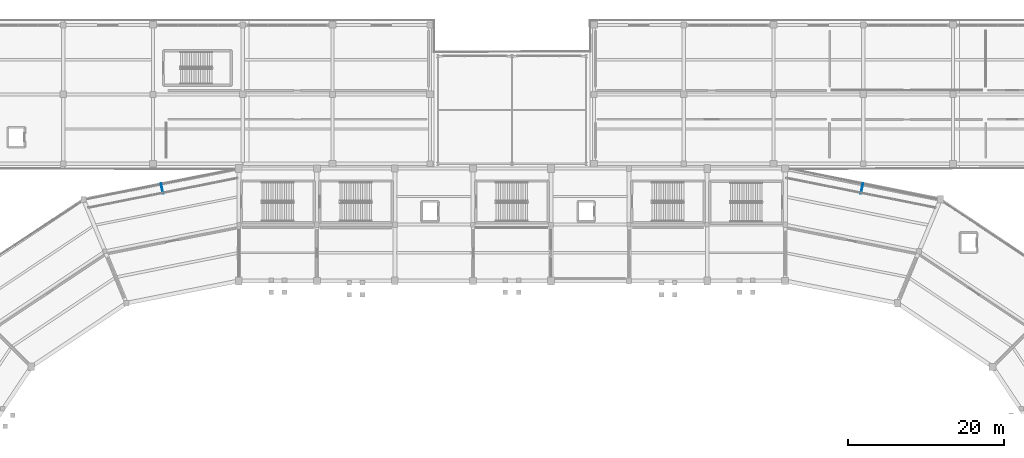
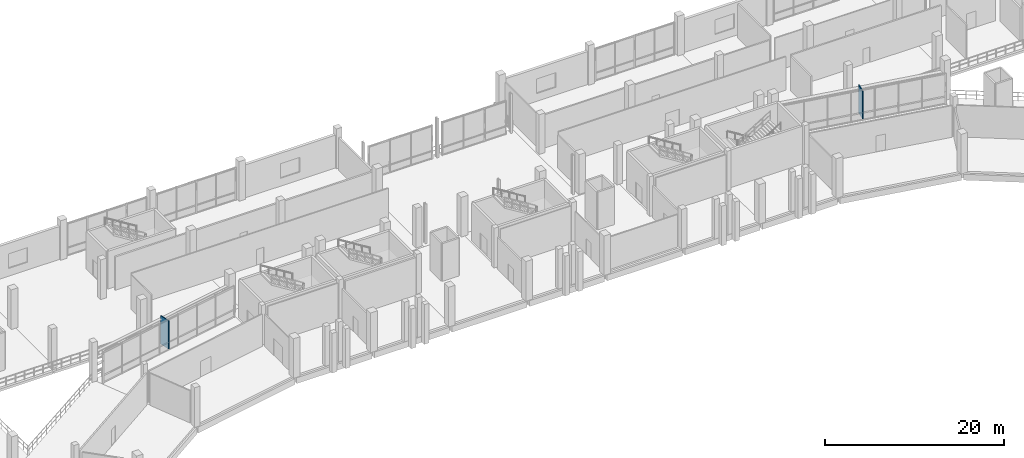
# One storey, part 90 of 114: 2 discrete accessories.
"""IFC4 building model written with IfcOpenShell, lengths in metres."""

import ifcopenshell
import ifcopenshell.guid

model = None  # the IFC model being written
_history = None  # IfcOwnerHistory: only IFC2X3 demands one
_inside = {}  # id of a spatial element -> (the spatial element, [elements in it])
_under = {}  # id of a project, library or spatial element -> (it, [spatial elements below it])
_declared = {}  # id of a project -> (the project, [libraries it declares])
_typed = {}  # id of a type object -> (the type object, [elements of that type])
_made_of = {}  # id of a material, layer set ... -> (it, [elements and type objects made of it])


def new_model(schema):
    """Start an empty IFC model of exactly this schema.

    Asked for "IFC4X3", IfcOpenShell would pick the latest addendum, in which some entities
    have other attributes; the version numbers below select the first issue.
    IFC2X3 requires an IfcOwnerHistory on every rooted entity: one is made here for all.
    """
    global model, _history
    if schema == "IFC4X3":
        model = ifcopenshell.file(schema_version=(4, 3, 0, 0))
    else:
        model = ifcopenshell.file(schema=schema)
    _inside.clear()
    _under.clear()
    _declared.clear()
    _typed.clear()
    _made_of.clear()
    _history = None
    if model.schema == "IFC2X3":
        org = make("IfcOrganization", Name="unknown")
        user = make(
            "IfcPersonAndOrganization",
            ThePerson=make("IfcPerson", FamilyName="unknown"),
            TheOrganization=org,
        )
        app = make(
            "IfcApplication",
            ApplicationDeveloper=org,
            Version="unknown",
            ApplicationFullName="unknown",
            ApplicationIdentifier="unknown",
        )
        _history = make(
            "IfcOwnerHistory",
            OwningUser=user,
            OwningApplication=app,
            ChangeAction="ADDED",
            CreationDate=0,
        )
    return model


def make(cls, **values):
    """One entity of the class cls with the attributes given. An attribute that is None is left unset."""
    return model.create_entity(
        cls, **{name: value for name, value in values.items() if value is not None}
    )


def rooted(cls, **values):
    """An entity with a GlobalId (a new one), such as an element, a storey or a relation."""
    return make(cls, GlobalId=ifcopenshell.guid.new(), OwnerHistory=_history, **values)


def si_unit(unit_type, name, prefix=None):
    """IfcSIUnit, for example si_unit("LENGTHUNIT", "METRE", prefix="MILLI")."""
    return make("IfcSIUnit", UnitType=unit_type, Prefix=prefix, Name=name)


def assignment(units):
    """IfcUnitAssignment: the units of a project."""
    return None if units is None else make("IfcUnitAssignment", Units=units)


def point(xyz):
    """IfcCartesianPoint."""
    return None if xyz is None else make("IfcCartesianPoint", Coordinates=xyz)


def direction(xyz):
    """IfcDirection."""
    return None if xyz is None else make("IfcDirection", DirectionRatios=xyz)


def frame(location, z_axis=None, x_axis=None):
    """IfcAxis2Placement3D, a coordinate frame: its origin and axes. An axis left out is left unset."""
    return make(
        "IfcAxis2Placement3D",
        Location=point(location),
        Axis=direction(z_axis),
        RefDirection=direction(x_axis),
    )


def frame_2d(location, x_axis=None):
    """IfcAxis2Placement2D, a coordinate frame in the plane: its origin and x axis."""
    return make(
        "IfcAxis2Placement2D", Location=point(location), RefDirection=direction(x_axis)
    )


def origin():
    """The frame at (0, 0, 0) with its axes left unset."""
    return frame((0.0, 0.0, 0.0))


def origin_2d():
    """The frame at (0, 0) in the plane with its x axis left unset."""
    return frame_2d((0.0, 0.0))


def place(relative_to, where):
    """IfcLocalPlacement: puts the frame where relative to a parent placement (None: the world)."""
    return make(
        "IfcLocalPlacement", PlacementRelTo=relative_to, RelativePlacement=where
    )


def context(
    kind, dimensions, precision=None, world=None, true_north=None, identifier=None
):
    """IfcGeometricRepresentationContext, for example the 3D "Model" context."""
    return make(
        "IfcGeometricRepresentationContext",
        ContextIdentifier=identifier,
        ContextType=kind,
        CoordinateSpaceDimension=dimensions,
        Precision=precision,
        WorldCoordinateSystem=world,
        TrueNorth=true_north,
    )


def subcontext(parent, identifier, kind, view, scale=None):
    """IfcGeometricRepresentationSubContext, for example "Body" below "Model"."""
    return make(
        "IfcGeometricRepresentationSubContext",
        ContextIdentifier=identifier,
        ContextType=kind,
        ParentContext=parent,
        TargetScale=scale,
        TargetView=view,
    )


def project(units=None, contexts=None):
    """IfcProject with its units and contexts."""
    return rooted(
        "IfcProject",
        Name="project",
        RepresentationContexts=contexts,
        UnitsInContext=assignment(units),
    )


def spatial(cls, under=None, at=None, **own):
    """A site, building, storey or space (cls), placed at a placement, below another one or the project."""
    s = rooted(cls, ObjectPlacement=at, **own)
    if under is not None:
        _under.setdefault(under.id(), (under, []))[1].append(s)
    return s


def profile(cls, at=None, kind="AREA", **sizes):
    """A parametric profile (cls). Its sizes go by their IFC names, for example OverallWidth=200.0."""
    return make(cls, ProfileType=kind, Position=at, **sizes)


def rectangle(**sizes):
    """IfcRectangleProfileDef."""
    return profile("IfcRectangleProfileDef", **sizes)


def extrude(swept, where, along, depth):
    """IfcExtrudedAreaSolid: the profile swept, set in the frame where, extruded along a direction by depth."""
    return make(
        "IfcExtrudedAreaSolid",
        SweptArea=swept,
        Position=where,
        ExtrudedDirection=direction(along),
        Depth=depth,
    )


def shape(context_of_items, identifier, shape_type, items):
    """IfcShapeRepresentation: the items that make up one representation, for example the "Body"."""
    return make(
        "IfcShapeRepresentation",
        ContextOfItems=context_of_items,
        RepresentationIdentifier=identifier,
        RepresentationType=shape_type,
        Items=items,
    )


def material(Name=None, Category=None):
    """IfcMaterial."""
    return make("IfcMaterial", Name=Name, Category=Category)


def made_of(thing, what):
    """Note that an element or type object is made of a material, layer set ...; save() writes the relation."""
    if what is not None:
        _made_of.setdefault(what.id(), (what, []))[1].append(thing)
    return thing


def type_object(cls, material=None, **own):
    """A type object (cls), such as IfcWallType, which elements share."""
    return made_of(rooted(cls, **own), material)


def element(
    cls,
    number,
    at=None,
    inside=None,
    cuts=None,
    type_object=None,
    material=None,
    context=None,
    identifier="Body",
    shape_type=None,
    held_by="IfcProductDefinitionShape",
    body=None,
    shapes=None,
    **own,
):
    """One element of the class cls, such as IfcWall. Its Tag is "e" and its number.

    at: its placement. inside: the storey or other place that contains it. cuts: it is an
    opening in that element (IfcRelVoidsElement). A single representation is given by context,
    identifier, shape_type and body (its items); several are given by shapes. held_by: the class
    of the entity that holds the representations. save() writes the other relations.
    """
    e = rooted(cls, Tag="e%d" % number, ObjectPlacement=at, **own)
    if body is not None:
        shapes = [shape(context, identifier, shape_type, body)]
    if shapes is not None:
        e.Representation = make(held_by, Representations=shapes)
    if inside is not None:
        _inside.setdefault(inside.id(), (inside, []))[1].append(e)
    if cuts is not None:
        rooted(
            "IfcRelVoidsElement", RelatingBuildingElement=cuts, RelatedOpeningElement=e
        )
    if type_object is not None:
        _typed.setdefault(type_object.id(), (type_object, []))[1].append(e)
    return made_of(e, material)


def aggregate(whole, parts):
    """IfcRelAggregates: a whole, such as a stair, and the parts it consists of."""
    return rooted("IfcRelAggregates", RelatingObject=whole, RelatedObjects=parts)


def save(model, path):
    """Write the relations noted so far, then the file.

    IfcRelAggregates (storeys below a building ...), IfcRelContainedInSpatialStructure (elements
    in a storey), IfcRelDefinesByType, IfcRelAssociatesMaterial and IfcRelDeclares: one each for
    every whole, place, type object, material and project.
    """
    for whole, parts in _under.values():
        aggregate(whole, parts)
    for where, things in _inside.values():
        rooted(
            "IfcRelContainedInSpatialStructure",
            RelatedElements=things,
            RelatingStructure=where,
        )
    for kind, things in _typed.values():
        rooted("IfcRelDefinesByType", RelatedObjects=things, RelatingType=kind)
    for what, things in _made_of.values():
        rooted("IfcRelAssociatesMaterial", RelatedObjects=things, RelatingMaterial=what)
    for by, libraries in _declared.values():
        rooted("IfcRelDeclares", RelatingContext=by, RelatedDefinitions=libraries)
    model.write(path)


model = new_model("IFC4")

# Units and contexts
model_context = context("Model", 3, precision=1e-05, world=origin(), true_north=direction((0.0, 1.0)))
body_context = subcontext(model_context, "Body", "Model", "MODEL_VIEW")
ifc_project = project(units=[si_unit("LENGTHUNIT", "METRE"), si_unit("AREAUNIT", "SQUARE_METRE"), si_unit("VOLUMEUNIT", "CUBIC_METRE"), si_unit("PLANEANGLEUNIT", "RADIAN"), si_unit("MASSUNIT", "GRAM", prefix="KILO")], contexts=[model_context])

# Site, building, storey
site_placement = place(None, origin())
site = spatial("IfcSite", under=ifc_project, at=site_placement, CompositionType="ELEMENT")
building_placement = place(site_placement, origin())
building = spatial("IfcBuilding", under=site, at=building_placement, Name="Candeia Ridge Stadium", CompositionType="ELEMENT")
storey_placement = place(building_placement, frame((0.0, 0.0, 5.39990234375)))
storey = spatial("IfcBuildingStorey", under=building, at=storey_placement, Name="L01", CompositionType="ELEMENT", Elevation=5.39990234375)

# Discrete accessories
ifc_material = material(Name="Steel ASTM A572 Grade 50", Category="steel")
discrete_accessory_type = type_object("IfcDiscreteAccessoryType", Name="Solar Rib Outrigger Bracket BRK1", PredefinedType="BRACKET", material=ifc_material)
discrete_accessory_1_placement = place(storey_placement, frame((61.1650390625, 144.443603515625, 0.2001953125), z_axis=(0.0, 0.0, 1.0), x_axis=(-0.19509022785, 0.980785299134, 0.0)))
element("IfcDiscreteAccessory", 1, at=discrete_accessory_1_placement, inside=storey, type_object=discrete_accessory_type, Name="Solar rib steel outrigger bracket L01 bay 08", PredefinedType="BRACKET", context=body_context, shape_type="SweptSolid", body=[
    extrude(rectangle(XDim=1.35009765625, YDim=0.1201171875, at=origin_2d()), origin(), (0.0, 0.0, 1.0), 3.844970703125),
])
discrete_accessory_2_placement = place(storey_placement, frame((150.8349609375, 144.443603515625, 0.2001953125), z_axis=(0.0, 0.0, 1.0), x_axis=(0.19509022785, 0.980785299134, 0.0)))
element("IfcDiscreteAccessory", 2, at=discrete_accessory_2_placement, inside=storey, type_object=discrete_accessory_type, Name="Solar rib steel outrigger bracket L01 bay 36", PredefinedType="BRACKET", context=body_context, shape_type="SweptSolid", body=[
    extrude(rectangle(XDim=1.35009765625, YDim=0.1201171875, at=origin_2d()), origin(), (0.0, 0.0, 1.0), 3.804931640625),
])

save(model, "model.ifc")
